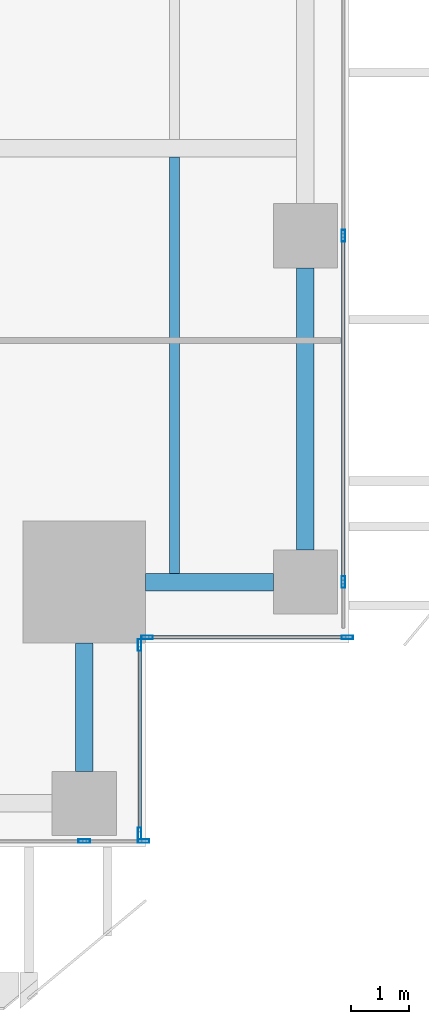
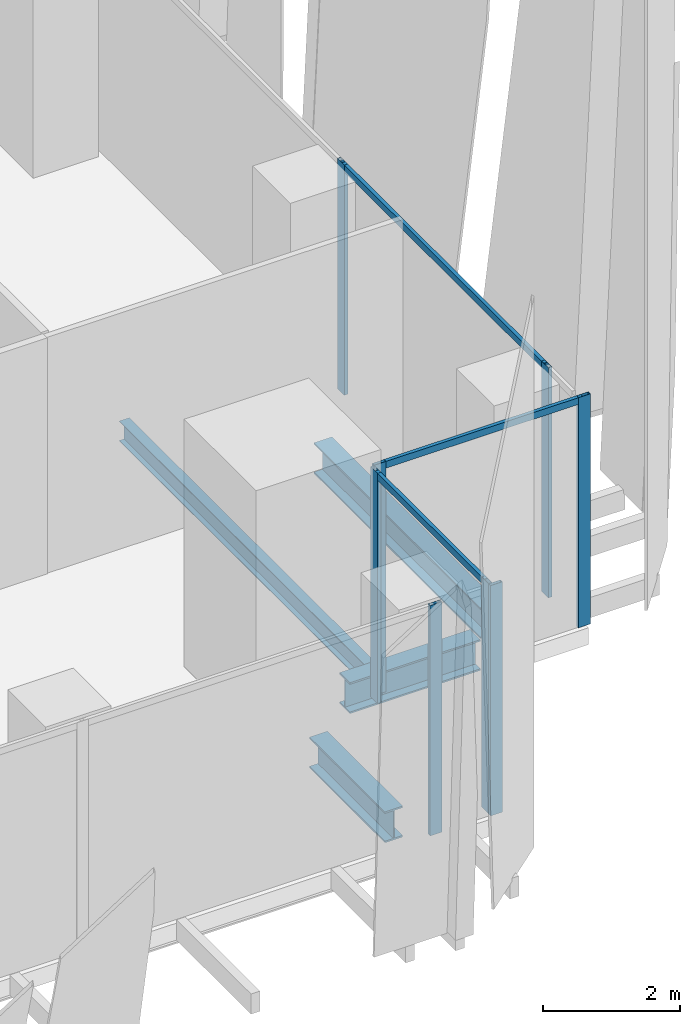
# One storey, part 9 of 35: 11 members, 4 beams, 4 elements without a shape of their own.
"""IFC4 building model written with IfcOpenShell, lengths in metres."""

from ifc_helpers import new_model, si_unit, direction, frame, origin, origin_2d, place, context, subcontext, project, spatial, hollow_rectangle, i_section, extrude, source, transform, mapped, material, material_profile, profile_set, type_object, element, aggregate, save


model = new_model("IFC4")

# Units and contexts
model_context = context("Model", 3, precision=1e-05, world=origin(), true_north=direction((0.0, 1.0)))
body_context = subcontext(model_context, "Body", "Model", "MODEL_VIEW")
ifc_project = project(units=[si_unit("LENGTHUNIT", "METRE"), si_unit("AREAUNIT", "SQUARE_METRE"), si_unit("VOLUMEUNIT", "CUBIC_METRE"), si_unit("PLANEANGLEUNIT", "RADIAN"), si_unit("MASSUNIT", "GRAM", prefix="KILO")], contexts=[model_context])

# Site, building, storey
site_placement = place(None, origin())
site = spatial("IfcSite", under=ifc_project, at=site_placement, CompositionType="ELEMENT")
building_placement = place(site_placement, origin())
building = spatial("IfcBuilding", under=site, at=building_placement, Name="Khomas Fold Tower", CompositionType="ELEMENT")
storey_placement = place(building_placement, frame((0.0, 0.0, 127.89990234375)))
storey = spatial("IfcBuildingStorey", under=building, at=storey_placement, Name="L27", CompositionType="ELEMENT", Elevation=127.89990234375)

# Beams
ifc_material_1 = material(Name="Steel S355", Category="steel")
ifc_material_profile_1 = material_profile(ifc_material_1, i_section(OverallWidth=0.169921875, OverallDepth=0.360107421875, WebThickness=0.008056640625, FlangeThickness=0.0126953125, at=origin_2d()), Name="IPE 360")
ifc_profile_set_1 = profile_set([ifc_material_profile_1], Name="Steel S355")
beam_type_1 = type_object("IfcBeamType", Name="IPE 360 beam JB2", PredefinedType="BEAM", material=ifc_profile_set_1)
shared_shape_1 = source(origin(), body_context, "Body", "SweptSolid", [
    extrude(i_section(OverallWidth=0.169921875, OverallDepth=0.360107421875, WebThickness=0.008056640625, FlangeThickness=0.0126953125, at=origin_2d()), origin(), (0.0, 0.0, 1.0), 7.150146484375),
])
beam_1_placement = place(storey_placement, frame((49.5, 6.199951171875, -0.47998046875), z_axis=(0.0, 1.0, 0.0), x_axis=(-1.0, 0.0, 0.0)))
element("IfcBeam", 1, at=beam_1_placement, inside=storey, type_object=beam_type_1, Name="JB2", PredefinedType="BEAM", context=body_context, shape_type="MappedRepresentation", body=[
    mapped(shared_shape_1, transform((0.0, 0.0, 0.0))),
])
ifc_material_2 = material(Name="Steel S355", Category="steel")
ifc_material_profile_2 = material_profile(ifc_material_2, i_section(OverallWidth=0.300048828125, OverallDepth=0.550048828125, WebThickness=0.014892578125, FlangeThickness=0.029052734375, at=origin_2d()), Name="HE 550 B")
ifc_profile_set_2 = profile_set([ifc_material_profile_2], Name="Steel S355")
beam_type_2 = type_object("IfcBeamType", Name="HE 550 B spandrel SB2", PredefinedType="SPANDREL", material=ifc_profile_set_2)
shared_shape_2 = source(origin(), body_context, "Body", "SweptSolid", [
    extrude(i_section(OverallWidth=0.300048828125, OverallDepth=0.550048828125, WebThickness=0.014892578125, FlangeThickness=0.029052734375, at=origin_2d()), origin(), (0.0, 0.0, 1.0), 4.849853515625),
])
beam_2_placement = place(storey_placement, frame((51.75, 6.60009765625, -0.574951171875), z_axis=(0.0, 1.0, 0.0), x_axis=(-1.0, 0.0, 0.0)))
element("IfcBeam", 2, at=beam_2_placement, inside=storey, type_object=beam_type_2, Name="SB2", PredefinedType="SPANDREL", context=body_context, shape_type="MappedRepresentation", body=[
    mapped(shared_shape_2, transform((0.0, 0.0, 0.0))),
])
shared_shape_3 = source(origin(), body_context, "Body", "SweptSolid", [
    extrude(i_section(OverallWidth=0.300048828125, OverallDepth=0.550048828125, WebThickness=0.014892578125, FlangeThickness=0.029052734375, at=origin_2d()), origin(), (0.0, 0.0, 1.0), 2.199951171875),
])
for number, where, z_axis, x_axis, name in (
    (3, (47.949951171875, 2.800048828125, -0.574951171875), (0.0, 1.0, 0.0), (-1.0, 0.0, 0.0), "SB2"),
    (4, (49.0, 6.050048828125, -0.574951171875), (1.0, 0.0, 0.0), (0.0, 1.0, 0.0), "SB2"),
):
    element("IfcBeam", number, at=place(storey_placement, frame(where, z_axis=z_axis, x_axis=x_axis)), inside=storey, type_object=beam_type_2, Name=name, PredefinedType="SPANDREL", context=body_context, shape_type="MappedRepresentation", body=[
        mapped(shared_shape_3, transform((0.0, 0.0, 0.0))),
    ])

# Curtain wall, members
ifc_material_3 = material(Name="Aluminium framed double glazing", Category="aluminium")
curtain_wall_type = type_object("IfcCurtainWallType", Name="SK-Unitised clear-glass wall, growing floors CW1", PredefinedType="NOTDEFINED", material=ifc_material_3)
curtain_wall_1_placement = place(storey_placement, origin())
curtain_wall_1 = element("IfcCurtainWall", 5, at=curtain_wall_1_placement, inside=storey, type_object=curtain_wall_type, Name="CW1 run L27 00-0", PredefinedType="NOTDEFINED")
ifc_material_4 = material(Name="Aluminium", Category="aluminium")
ifc_material_profile_3 = material_profile(ifc_material_4, hollow_rectangle(XDim=0.06005859375, YDim=0.199951171875, WallThickness=0.00390625, at=origin_2d()), Name="SK-Unitised clear-glass wall, growing floors mullion CW1-M")
ifc_profile_set_3 = profile_set([ifc_material_profile_3], Name="Aluminium")
member_type_1 = type_object("IfcMemberType", Name="SK-Unitised clear-glass wall, growing floors mullion CW1-M", PredefinedType="MULLION", material=ifc_profile_set_3)
shared_shape_4 = source(origin(), body_context, "Body", "SweptSolid", [
    extrude(hollow_rectangle(XDim=0.06005859375, YDim=0.199951171875, WallThickness=0.00390625, at=origin_2d()), origin(), (0.0, 0.0, 1.0), 4.10009765625),
])
member_1_placement = place(storey_placement, frame((47.949951171875, 1.60009765625, 0.0), z_axis=(0.0, 0.0, 1.0), x_axis=(0.0, 1.0, 0.0)))
member_1 = element("IfcMember", 6, at=member_1_placement, type_object=member_type_1, Name="CW1 mullion 8", PredefinedType="MULLION", context=body_context, shape_type="MappedRepresentation", body=[
    mapped(shared_shape_4, transform((0.0, 0.0, 0.0))),
])
member_2_placement = place(storey_placement, frame((48.969970703125, 1.60009765625, 0.0), z_axis=(0.0, 0.0, 1.0), x_axis=(0.0, 1.0, 0.0)))
member_2 = element("IfcMember", 7, at=member_2_placement, type_object=member_type_1, Name="CW1 mullion 9", PredefinedType="MULLION", context=body_context, shape_type="MappedRepresentation", body=[
    mapped(shared_shape_4, transform((0.0, 0.0, 0.0))),
])
aggregate(curtain_wall_1, [member_1, member_2])

curtain_wall_2_placement = place(storey_placement, origin())
curtain_wall_2 = element("IfcCurtainWall", 8, at=curtain_wall_2_placement, inside=storey, type_object=curtain_wall_type, Name="CW1 corner return L27 01", PredefinedType="NOTDEFINED")
member_3_placement = place(storey_placement, frame((48.89990234375, 1.72998046875, 0.0), z_axis=(0.0, 0.0, 1.0), x_axis=(-1.0, 0.0, 0.0)))
member_3 = element("IfcMember", 9, at=member_3_placement, type_object=member_type_1, Name="CW1 mullion 1", PredefinedType="MULLION", context=body_context, shape_type="MappedRepresentation", body=[
    mapped(shared_shape_4, transform((0.0, 0.0, 0.0))),
])
member_4_placement = place(storey_placement, frame((48.89990234375, 4.969970703125, 0.0), z_axis=(0.0, 0.0, 1.0), x_axis=(-1.0, 0.0, 0.0)))
member_4 = element("IfcMember", 10, at=member_4_placement, type_object=member_type_1, Name="CW1 mullion 2", PredefinedType="MULLION", context=body_context, shape_type="MappedRepresentation", body=[
    mapped(shared_shape_4, transform((0.0, 0.0, 0.0))),
])

curtain_wall_3_placement = place(storey_placement, origin())
curtain_wall_3 = element("IfcCurtainWall", 11, at=curtain_wall_3_placement, inside=storey, type_object=curtain_wall_type, Name="CW1 corner return L27 02", PredefinedType="NOTDEFINED")
member_5_placement = place(storey_placement, frame((49.030029296875, 5.10009765625, 0.0), z_axis=(0.0, 0.0, 1.0), x_axis=(0.0, 1.0, 0.0)))
member_5 = element("IfcMember", 12, at=member_5_placement, type_object=member_type_1, Name="CW1 mullion 1", PredefinedType="MULLION", context=body_context, shape_type="MappedRepresentation", body=[
    mapped(shared_shape_4, transform((0.0, 0.0, 0.0))),
])
member_6_placement = place(storey_placement, frame((52.469970703125, 5.10009765625, 0.0), z_axis=(0.0, 0.0, 1.0), x_axis=(0.0, 1.0, 0.0)))
member_6 = element("IfcMember", 13, at=member_6_placement, type_object=member_type_1, Name="CW1 mullion 2", PredefinedType="MULLION", context=body_context, shape_type="MappedRepresentation", body=[
    mapped(shared_shape_4, transform((0.0, 0.0, 0.0))),
])

curtain_wall_4_placement = place(storey_placement, origin())
curtain_wall_4 = element("IfcCurtainWall", 14, at=curtain_wall_4_placement, inside=storey, type_object=curtain_wall_type, Name="CW1 run L27 03-0", PredefinedType="NOTDEFINED")
member_7_placement = place(storey_placement, frame((52.39990234375, 6.050048828125, 0.0), z_axis=(0.0, 0.0, 1.0), x_axis=(-1.0, 0.0, 0.0)))
member_7 = element("IfcMember", 15, at=member_7_placement, type_object=member_type_1, Name="CW1 mullion 2", PredefinedType="MULLION", context=body_context, shape_type="MappedRepresentation", body=[
    mapped(shared_shape_4, transform((0.0, 0.0, 0.0))),
])
member_8_placement = place(storey_placement, frame((52.39990234375, 12.0, 0.0), z_axis=(0.0, 0.0, 1.0), x_axis=(-1.0, 0.0, 0.0)))
member_8 = element("IfcMember", 16, at=member_8_placement, type_object=member_type_1, Name="CW1 mullion 3", PredefinedType="MULLION", context=body_context, shape_type="MappedRepresentation", body=[
    mapped(shared_shape_4, transform((0.0, 0.0, 0.0))),
])
ifc_material_5 = material(Name="Aluminium", Category="aluminium")
ifc_material_profile_4 = material_profile(ifc_material_5, hollow_rectangle(XDim=0.06005859375, YDim=0.1201171875, WallThickness=0.00390625, at=origin_2d()), Name="SK-Unitised clear-glass wall, growing floors transom CW1-T")
ifc_profile_set_4 = profile_set([ifc_material_profile_4], Name="Aluminium")
member_type_2 = type_object("IfcMemberType", Name="SK-Unitised clear-glass wall, growing floors transom CW1-T", PredefinedType="USERDEFINED", material=ifc_profile_set_4)
shared_shape_5 = source(origin(), body_context, "Body", "SweptSolid", [
    extrude(hollow_rectangle(XDim=0.06005859375, YDim=0.1201171875, WallThickness=0.00390625, at=origin_2d()), origin(), (0.0, 0.0, 1.0), 5.889892578125),
])
member_9_placement = place(storey_placement, frame((52.39990234375, 6.080078125, 4.0400390625), z_axis=(0.0, 1.0, 0.0), x_axis=(-1.0, 0.0, 0.0)))
member_9 = element("IfcMember", 17, at=member_9_placement, type_object=member_type_2, Name="CW1 transom 2", ObjectType="TRANSOM", PredefinedType="USERDEFINED", context=body_context, shape_type="MappedRepresentation", body=[
    mapped(shared_shape_5, transform((0.0, 0.0, 0.0))),
])
aggregate(curtain_wall_4, [member_7, member_8, member_9])

# Member
shared_shape_6 = source(origin(), body_context, "Body", "SweptSolid", [
    extrude(hollow_rectangle(XDim=0.06005859375, YDim=0.1201171875, WallThickness=0.00390625, at=origin_2d()), origin(), (0.0, 0.0, 1.0), 3.179931640625),
])
member_10_placement = place(storey_placement, frame((48.89990234375, 1.760009765625, 4.0400390625), z_axis=(0.0, 1.0, 0.0), x_axis=(-1.0, 0.0, 0.0)))
member_10 = element("IfcMember", 18, at=member_10_placement, type_object=member_type_2, Name="CW1 transom 1", ObjectType="TRANSOM", PredefinedType="USERDEFINED", context=body_context, shape_type="MappedRepresentation", body=[
    mapped(shared_shape_6, transform((0.0, 0.0, 0.0))),
])

aggregate(curtain_wall_2, [member_3, member_4, member_10])

shared_shape_7 = source(origin(), body_context, "Body", "SweptSolid", [
    extrude(hollow_rectangle(XDim=0.06005859375, YDim=0.1201171875, WallThickness=0.00390625, at=origin_2d()), origin(), (0.0, 0.0, 1.0), 3.3798828125),
])
member_11_placement = place(storey_placement, frame((49.06005859375, 5.10009765625, 4.0400390625), z_axis=(1.0, 0.0, 0.0), x_axis=(0.0, 1.0, 0.0)))
member_11 = element("IfcMember", 19, at=member_11_placement, type_object=member_type_2, Name="CW1 transom 1", ObjectType="TRANSOM", PredefinedType="USERDEFINED", context=body_context, shape_type="MappedRepresentation", body=[
    mapped(shared_shape_7, transform((0.0, 0.0, 0.0))),
])

aggregate(curtain_wall_3, [member_5, member_6, member_11])

save(model, "model.ifc")
